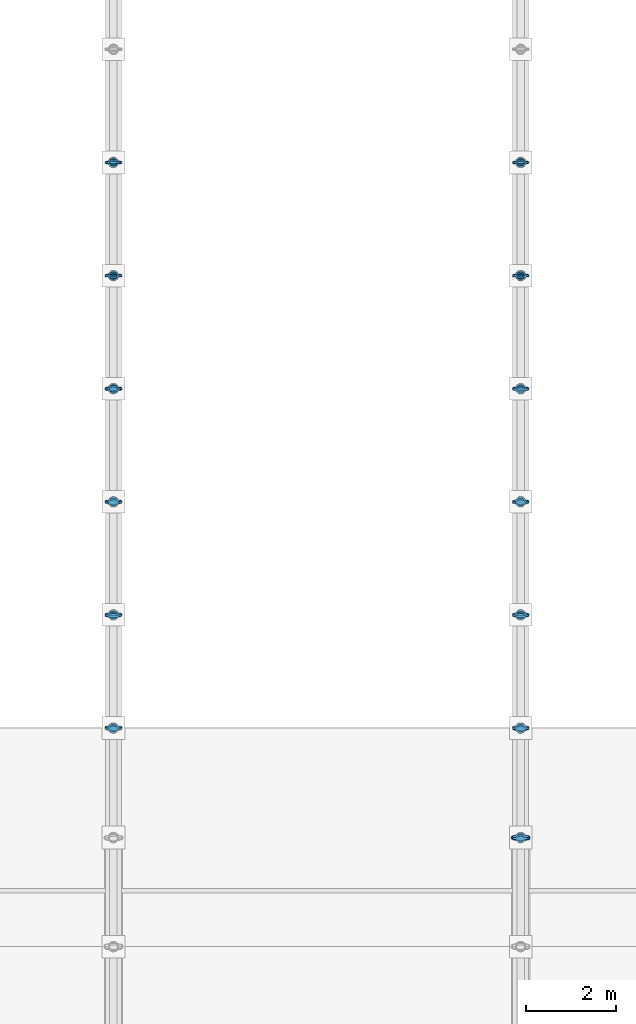
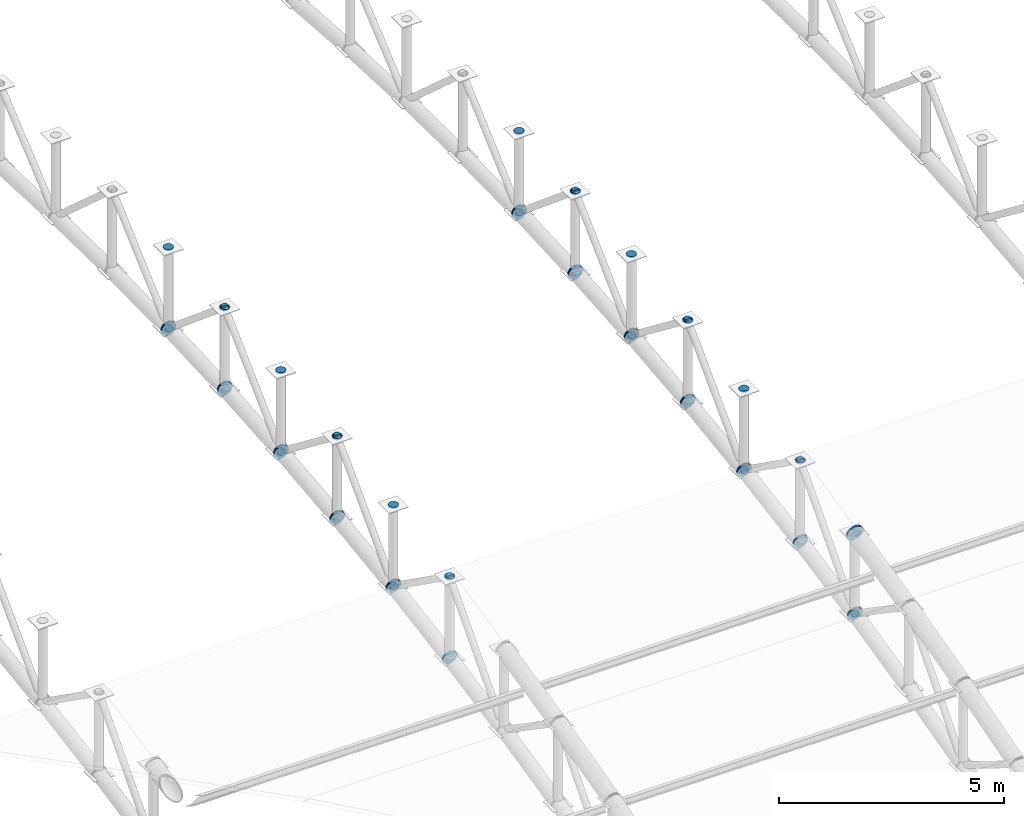
# One storey, part 150 of 195: 78 discrete accessories.
"""IFC4 building model written with IfcOpenShell, lengths in metres."""

from ifc_helpers import new_model, si_unit, direction, frame, origin, origin_2d, place, context, subcontext, project, spatial, circle, extrude, material, element, save


model = new_model("IFC4")

# Units and contexts
model_context = context("Model", 3, precision=1e-05, world=origin(), true_north=direction((0.0, 1.0)))
body_context = subcontext(model_context, "Body", "Model", "MODEL_VIEW")
ifc_project = project(units=[si_unit("LENGTHUNIT", "METRE"), si_unit("AREAUNIT", "SQUARE_METRE"), si_unit("VOLUMEUNIT", "CUBIC_METRE"), si_unit("PLANEANGLEUNIT", "RADIAN"), si_unit("MASSUNIT", "GRAM", prefix="KILO")], contexts=[model_context])

# Site, building, storey
site_placement = place(None, origin())
site = spatial("IfcSite", under=ifc_project, at=site_placement, CompositionType="ELEMENT")
building_placement = place(site_placement, origin())
building = spatial("IfcBuilding", under=site, at=building_placement, Name="Marlcrest Central Station", CompositionType="ELEMENT")
storey_placement = place(building_placement, frame((0.0, 0.0, 9.800048828125)))
storey = spatial("IfcBuildingStorey", under=building, at=storey_placement, Name="L02", CompositionType="ELEMENT", Elevation=9.800048828125)

# Discrete accessories
ifc_material = material(Name="Steel S355", Category="steel")
discrete_accessory_1_placement = place(storey_placement, frame((180.0, 50.983154296875, 5.585205078125), z_axis=(0.0, 0.669244457479, 0.743042297675), x_axis=(-1.0, 0.0, 0.0)))
element("IfcDiscreteAccessory", 1, at=discrete_accessory_1_placement, inside=storey, material=ifc_material, Name="endcap-mem-AD-01-L02-01579-e", ObjectType="END_CAP_PLATE", PredefinedType="BRACKET", context=body_context, shape_type="SweptSolid", body=[
    extrude(circle(Radius=0.092041015625, at=origin_2d()), origin(), (0.0, 0.0, 1.0), 0.0400390625),
])
for number, where, z_axis, x_axis, name in (
    (2, (180.0, 50.985107421875, 3.4013671875), (0.0, 0.98574109921, 0.168269086076), (-1.0, 0.0, 0.0), "endcap-mem-AC-02-L02-01581-s"),
    (3, (180.0, 53.475341796875, 3.826416015625), (0.0, 0.98574109921, 0.168269086076), (-1.0, 0.0, 0.0), "endcap-mem-AC-02-L02-01581-e"),
):
    element("IfcDiscreteAccessory", number, at=place(storey_placement, frame(where, z_axis=z_axis, x_axis=x_axis)), inside=storey, material=ifc_material, Name=name, ObjectType="END_CAP_PLATE", PredefinedType="BRACKET", context=body_context, shape_type="SweptSolid", body=[
        extrude(circle(Radius=0.185791015625, at=origin_2d()), origin(), (0.0, 0.0, 1.0), 0.0400390625),
    ])
for number, where, z_axis, x_axis, name in (
    (4, (180.0, 51.0, 3.388916015625), (0.0, 0.0, 1.0), (1.0, 0.0, 0.0), "endcap-mem-AP-01-L02-01582-s"),
    (5, (180.0, 51.0, 5.578857421875), (0.0, 0.0, 1.0), (1.0, 0.0, 0.0), "endcap-mem-AP-01-L02-01582-e"),
):
    element("IfcDiscreteAccessory", number, at=place(storey_placement, frame(where, z_axis=z_axis, x_axis=x_axis)), inside=storey, material=ifc_material, Name=name, ObjectType="END_CAP_PLATE", PredefinedType="BRACKET", context=body_context, shape_type="SweptSolid", body=[
        extrude(circle(Radius=0.117431640625, at=origin_2d()), origin(), (0.0, 0.0, 1.0), 0.0400390625),
    ])
for number, where, z_axis, x_axis, name in (
    (6, (180.0, 50.98779296875, 5.612548828125), (0.0, 0.815661132754, -0.57852996164), (-1.0, 0.0, 0.0), "endcap-mem-AD-01-L02-01583-s"),
    (7, (180.0, 53.4794921875, 3.844970703125), (0.0, 0.815661132754, -0.57852996164), (-1.0, 0.0, 0.0), "endcap-mem-AD-01-L02-01583-e"),
):
    element("IfcDiscreteAccessory", number, at=place(storey_placement, frame(where, z_axis=z_axis, x_axis=x_axis)), inside=storey, material=ifc_material, Name=name, ObjectType="END_CAP_PLATE", PredefinedType="BRACKET", context=body_context, shape_type="SweptSolid", body=[
        extrude(circle(Radius=0.092041015625, at=origin_2d()), origin(), (0.0, 0.0, 1.0), 0.0400390625),
    ])
for number, where, z_axis, x_axis, name in (
    (8, (180.0, 53.485107421875, 3.82861328125), (0.0, 0.990402740232, 0.138211476152), (-1.0, 0.0, 0.0), "endcap-mem-AC-02-L02-01585-s"),
    (9, (180.0, 55.975341796875, 4.176025390625), (0.0, 0.990402740232, 0.138211476152), (-1.0, 0.0, 0.0), "endcap-mem-AC-02-L02-01585-e"),
):
    element("IfcDiscreteAccessory", number, at=place(storey_placement, frame(where, z_axis=z_axis, x_axis=x_axis)), inside=storey, material=ifc_material, Name=name, ObjectType="END_CAP_PLATE", PredefinedType="BRACKET", context=body_context, shape_type="SweptSolid", body=[
        extrude(circle(Radius=0.185791015625, at=origin_2d()), origin(), (0.0, 0.0, 1.0), 0.0400390625),
    ])
for number, where, z_axis, x_axis, name in (
    (10, (180.0, 53.5, 3.815673828125), (0.0, 0.0, 1.0), (1.0, 0.0, 0.0), "endcap-mem-AP-01-L02-01586-s"),
    (11, (180.0, 53.5, 6.005615234375), (0.0, 0.0, 1.0), (1.0, 0.0, 0.0), "endcap-mem-AP-01-L02-01586-e"),
):
    element("IfcDiscreteAccessory", number, at=place(storey_placement, frame(where, z_axis=z_axis, x_axis=x_axis)), inside=storey, material=ifc_material, Name=name, ObjectType="END_CAP_PLATE", PredefinedType="BRACKET", context=body_context, shape_type="SweptSolid", body=[
        extrude(circle(Radius=0.117431640625, at=origin_2d()), origin(), (0.0, 0.0, 1.0), 0.0400390625),
    ])
for number, where, z_axis, x_axis, name in (
    (12, (180.0, 53.489501953125, 3.81982421875), (0.0, 0.70023547796, 0.713911952139), (-1.0, 0.0, 0.0), "endcap-mem-AD-01-L02-01587-s"),
    (13, (180.0, 55.982421875, 6.361572265625), (0.0, 0.70023547796, 0.713911952139), (-1.0, 0.0, 0.0), "endcap-mem-AD-01-L02-01587-e"),
):
    element("IfcDiscreteAccessory", number, at=place(storey_placement, frame(where, z_axis=z_axis, x_axis=x_axis)), inside=storey, material=ifc_material, Name=name, ObjectType="END_CAP_PLATE", PredefinedType="BRACKET", context=body_context, shape_type="SweptSolid", body=[
        extrude(circle(Radius=0.092041015625, at=origin_2d()), origin(), (0.0, 0.0, 1.0), 0.0400390625),
    ])
for number, where, z_axis, x_axis, name in (
    (14, (180.0, 55.985107421875, 4.177734375), (0.0, 0.994155341034, 0.107959056565), (-1.0, 0.0, 0.0), "endcap-mem-AC-02-L02-01589-s"),
    (15, (180.0, 58.47509765625, 4.4482421875), (0.0, 0.994155341034, 0.107959056565), (-1.0, 0.0, 0.0), "endcap-mem-AC-02-L02-01589-e"),
):
    element("IfcDiscreteAccessory", number, at=place(storey_placement, frame(where, z_axis=z_axis, x_axis=x_axis)), inside=storey, material=ifc_material, Name=name, ObjectType="END_CAP_PLATE", PredefinedType="BRACKET", context=body_context, shape_type="SweptSolid", body=[
        extrude(circle(Radius=0.185791015625, at=origin_2d()), origin(), (0.0, 0.0, 1.0), 0.0400390625),
    ])
for number, where, z_axis, x_axis, name in (
    (16, (180.0, 56.0, 4.16455078125), (0.0, 0.0, 1.0), (1.0, 0.0, 0.0), "endcap-mem-AP-01-L02-01590-s"),
    (17, (180.0, 56.0, 6.3544921875), (0.0, 0.0, 1.0), (1.0, 0.0, 0.0), "endcap-mem-AP-01-L02-01590-e"),
):
    element("IfcDiscreteAccessory", number, at=place(storey_placement, frame(where, z_axis=z_axis, x_axis=x_axis)), inside=storey, material=ifc_material, Name=name, ObjectType="END_CAP_PLATE", PredefinedType="BRACKET", context=body_context, shape_type="SweptSolid", body=[
        extrude(circle(Radius=0.117431640625, at=origin_2d()), origin(), (0.0, 0.0, 1.0), 0.0400390625),
    ])
for number, where, z_axis, x_axis, name in (
    (18, (180.0, 55.988037109375, 6.388671875), (0.0, 0.791798282026, -0.610782678684), (-1.0, 0.0, 0.0), "endcap-mem-AD-01-L02-01591-s"),
    (19, (180.0, 58.480224609375, 4.46630859375), (0.0, 0.791798282026, -0.610782678684), (-1.0, 0.0, 0.0), "endcap-mem-AD-01-L02-01591-e"),
):
    element("IfcDiscreteAccessory", number, at=place(storey_placement, frame(where, z_axis=z_axis, x_axis=x_axis)), inside=storey, material=ifc_material, Name=name, ObjectType="END_CAP_PLATE", PredefinedType="BRACKET", context=body_context, shape_type="SweptSolid", body=[
        extrude(circle(Radius=0.092041015625, at=origin_2d()), origin(), (0.0, 0.0, 1.0), 0.0400390625),
    ])
for number, where, z_axis, x_axis, name in (
    (20, (180.0, 58.485107421875, 4.44970703125), (0.0, 0.997007334767, 0.077307014043), (-1.0, 0.0, 0.0), "endcap-mem-AC-02-L02-01593-s"),
    (21, (180.0, 60.97509765625, 4.642822265625), (0.0, 0.997007334767, 0.077307014043), (-1.0, 0.0, 0.0), "endcap-mem-AC-02-L02-01593-e"),
):
    element("IfcDiscreteAccessory", number, at=place(storey_placement, frame(where, z_axis=z_axis, x_axis=x_axis)), inside=storey, material=ifc_material, Name=name, ObjectType="END_CAP_PLATE", PredefinedType="BRACKET", context=body_context, shape_type="SweptSolid", body=[
        extrude(circle(Radius=0.185791015625, at=origin_2d()), origin(), (0.0, 0.0, 1.0), 0.0400390625),
    ])
for number, where, z_axis, x_axis, name in (
    (22, (180.0, 58.5, 4.43603515625), (0.0, 0.0, 1.0), (1.0, 0.0, 0.0), "endcap-mem-AP-01-L02-01594-s"),
    (23, (180.0, 58.5, 6.6259765625), (0.0, 0.0, 1.0), (1.0, 0.0, 0.0), "endcap-mem-AP-01-L02-01594-e"),
):
    element("IfcDiscreteAccessory", number, at=place(storey_placement, frame(where, z_axis=z_axis, x_axis=x_axis)), inside=storey, material=ifc_material, Name=name, ObjectType="END_CAP_PLATE", PredefinedType="BRACKET", context=body_context, shape_type="SweptSolid", body=[
        extrude(circle(Radius=0.117431640625, at=origin_2d()), origin(), (0.0, 0.0, 1.0), 0.0400390625),
    ])
for number, where, z_axis, x_axis, name in (
    (24, (180.0, 58.4892578125, 4.440673828125), (0.0, 0.722246537655, 0.691635698071), (-1.0, 0.0, 0.0), "endcap-mem-AD-01-L02-01595-s"),
    (25, (180.0, 60.98193359375, 6.82763671875), (0.0, 0.722246537655, 0.691635698071), (-1.0, 0.0, 0.0), "endcap-mem-AD-01-L02-01595-e"),
):
    element("IfcDiscreteAccessory", number, at=place(storey_placement, frame(where, z_axis=z_axis, x_axis=x_axis)), inside=storey, material=ifc_material, Name=name, ObjectType="END_CAP_PLATE", PredefinedType="BRACKET", context=body_context, shape_type="SweptSolid", body=[
        extrude(circle(Radius=0.092041015625, at=origin_2d()), origin(), (0.0, 0.0, 1.0), 0.0400390625),
    ])
for number, where, z_axis, x_axis, name in (
    (26, (180.0, 60.985107421875, 4.64404296875), (0.0, 0.998916819647, 0.046531574509), (-1.0, 0.0, 0.0), "endcap-mem-AC-02-L02-01597-s"),
    (27, (180.0, 63.47509765625, 4.760009765625), (0.0, 0.998916819647, 0.046531574509), (-1.0, 0.0, 0.0), "endcap-mem-AC-02-L02-01597-e"),
):
    element("IfcDiscreteAccessory", number, at=place(storey_placement, frame(where, z_axis=z_axis, x_axis=x_axis)), inside=storey, material=ifc_material, Name=name, ObjectType="END_CAP_PLATE", PredefinedType="BRACKET", context=body_context, shape_type="SweptSolid", body=[
        extrude(circle(Radius=0.185791015625, at=origin_2d()), origin(), (0.0, 0.0, 1.0), 0.0400390625),
    ])
for number, where, z_axis, x_axis, name in (
    (28, (180.0, 61.0, 4.6298828125), (0.0, 0.0, 1.0), (1.0, 0.0, 0.0), "endcap-mem-AP-01-L02-01598-s"),
    (29, (180.0, 61.0, 6.820068359375), (0.0, 0.0, 1.0), (1.0, 0.0, 0.0), "endcap-mem-AP-01-L02-01598-e"),
):
    element("IfcDiscreteAccessory", number, at=place(storey_placement, frame(where, z_axis=z_axis, x_axis=x_axis)), inside=storey, material=ifc_material, Name=name, ObjectType="END_CAP_PLATE", PredefinedType="BRACKET", context=body_context, shape_type="SweptSolid", body=[
        extrude(circle(Radius=0.117431640625, at=origin_2d()), origin(), (0.0, 0.0, 1.0), 0.0400390625),
    ])
for number, where, z_axis, x_axis, name in (
    (30, (180.0, 60.988525390625, 6.8544921875), (0.0, 0.768159787854, -0.640258182552), (-1.0, 0.0, 0.0), "endcap-mem-AD-01-L02-01599-s"),
    (31, (180.0, 63.480712890625, 4.77734375), (0.0, 0.768159787854, -0.640258182552), (-1.0, 0.0, 0.0), "endcap-mem-AD-01-L02-01599-e"),
):
    element("IfcDiscreteAccessory", number, at=place(storey_placement, frame(where, z_axis=z_axis, x_axis=x_axis)), inside=storey, material=ifc_material, Name=name, ObjectType="END_CAP_PLATE", PredefinedType="BRACKET", context=body_context, shape_type="SweptSolid", body=[
        extrude(circle(Radius=0.092041015625, at=origin_2d()), origin(), (0.0, 0.0, 1.0), 0.0400390625),
    ])
discrete_accessory_2_placement = place(storey_placement, frame((180.0, 63.485107421875, 4.760986328125), z_axis=(0.0, 0.999879472592, 0.01552547228), x_axis=(-1.0, 0.0, 0.0)))
element("IfcDiscreteAccessory", 32, at=discrete_accessory_2_placement, inside=storey, material=ifc_material, Name="endcap-mem-AC-02-L02-01601-s", ObjectType="END_CAP_PLATE", PredefinedType="BRACKET", context=body_context, shape_type="SweptSolid", body=[
    extrude(circle(Radius=0.185791015625, at=origin_2d()), origin(), (0.0, 0.0, 1.0), 0.0400390625),
])
for number, where, z_axis, x_axis, name in (
    (33, (180.0, 63.5, 4.746337890625), (0.0, 0.0, 1.0), (1.0, 0.0, 0.0), "endcap-mem-AP-01-L02-01602-s"),
    (34, (180.0, 63.5, 6.936279296875), (0.0, 0.0, 1.0), (1.0, 0.0, 0.0), "endcap-mem-AP-01-L02-01602-e"),
):
    element("IfcDiscreteAccessory", number, at=place(storey_placement, frame(where, z_axis=z_axis, x_axis=x_axis)), inside=storey, material=ifc_material, Name=name, ObjectType="END_CAP_PLATE", PredefinedType="BRACKET", context=body_context, shape_type="SweptSolid", body=[
        extrude(circle(Radius=0.117431640625, at=origin_2d()), origin(), (0.0, 0.0, 1.0), 0.0400390625),
    ])
discrete_accessory_3_placement = place(storey_placement, frame((180.0, 63.48876953125, 4.751220703125), z_axis=(0.0, 0.744955843007, 0.66711377738), x_axis=(-1.0, 0.0, 0.0)))
element("IfcDiscreteAccessory", 35, at=discrete_accessory_3_placement, inside=storey, material=ifc_material, Name="endcap-mem-AD-01-L02-01603-s", ObjectType="END_CAP_PLATE", PredefinedType="BRACKET", context=body_context, shape_type="SweptSolid", body=[
    extrude(circle(Radius=0.092041015625, at=origin_2d()), origin(), (0.0, 0.0, 1.0), 0.0400390625),
])
discrete_accessory_4_placement = place(storey_placement, frame((189.0, 48.5556640625, 5.111328125), z_axis=(0.0, 0.974329612642, 0.225126200004), x_axis=(-1.0, 0.0, 0.0)))
element("IfcDiscreteAccessory", 36, at=discrete_accessory_4_placement, inside=storey, material=ifc_material, Name="endcap-mem-AC-01-L02-01688-e", ObjectType="END_CAP_PLATE", PredefinedType="BRACKET", context=body_context, shape_type="SweptSolid", body=[
    extrude(circle(Radius=0.211181640625, at=origin_2d()), origin(), (0.0, 0.0, 1.0), 0.0400390625),
])
discrete_accessory_5_placement = place(storey_placement, frame((189.0, 48.5556640625, 2.911376953125), z_axis=(0.0, 0.974307959875, 0.225219891049), x_axis=(-1.0, 0.0, 0.0)))
element("IfcDiscreteAccessory", 37, at=discrete_accessory_5_placement, inside=storey, material=ifc_material, Name="endcap-mem-AC-02-L02-01689-e", ObjectType="END_CAP_PLATE", PredefinedType="BRACKET", context=body_context, shape_type="SweptSolid", body=[
    extrude(circle(Radius=0.185791015625, at=origin_2d()), origin(), (0.0, 0.0, 1.0), 0.0400390625),
])
discrete_accessory_6_placement = place(storey_placement, frame((189.0, 48.559326171875, 2.93115234375), z_axis=(0.0, 0.82626275624, -0.563284881432), x_axis=(-1.0, 0.0, 0.0)))
element("IfcDiscreteAccessory", 38, at=discrete_accessory_6_placement, inside=storey, material=ifc_material, Name="endcap-mem-AD-01-L02-01691-e", ObjectType="END_CAP_PLATE", PredefinedType="BRACKET", context=body_context, shape_type="SweptSolid", body=[
    extrude(circle(Radius=0.092041015625, at=origin_2d()), origin(), (0.0, 0.0, 1.0), 0.0400390625),
])
for number, where, z_axis, x_axis, name in (
    (39, (189.0, 48.5654296875, 2.9140625), (0.0, 0.980359417961, 0.197219196874), (-1.0, 0.0, 0.0), "endcap-mem-AC-02-L02-01693-s"),
    (40, (189.0, 50.9755859375, 3.39892578125), (0.0, 0.980359417961, 0.197219196874), (-1.0, 0.0, 0.0), "endcap-mem-AC-02-L02-01693-e"),
):
    element("IfcDiscreteAccessory", number, at=place(storey_placement, frame(where, z_axis=z_axis, x_axis=x_axis)), inside=storey, material=ifc_material, Name=name, ObjectType="END_CAP_PLATE", PredefinedType="BRACKET", context=body_context, shape_type="SweptSolid", body=[
        extrude(circle(Radius=0.185791015625, at=origin_2d()), origin(), (0.0, 0.0, 1.0), 0.0400390625),
    ])
for number, where, z_axis, x_axis, name in (
    (41, (189.0, 48.580078125, 2.902099609375), (0.0, 0.0, 1.0), (1.0, 0.0, 0.0), "endcap-mem-AP-01-L02-01694-s"),
    (42, (189.0, 48.580078125, 5.092041015625), (0.0, 0.0, 1.0), (1.0, 0.0, 0.0), "endcap-mem-AP-01-L02-01694-e"),
):
    element("IfcDiscreteAccessory", number, at=place(storey_placement, frame(where, z_axis=z_axis, x_axis=x_axis)), inside=storey, material=ifc_material, Name=name, ObjectType="END_CAP_PLATE", PredefinedType="BRACKET", context=body_context, shape_type="SweptSolid", body=[
        extrude(circle(Radius=0.117431640625, at=origin_2d()), origin(), (0.0, 0.0, 1.0), 0.0400390625),
    ])
for number, where, z_axis, x_axis, name in (
    (43, (189.0, 48.570068359375, 2.90576171875), (0.0, 0.669244457479, 0.743042297675), (-1.0, 0.0, 0.0), "endcap-mem-AD-01-L02-01695-s"),
    (44, (189.0, 50.983154296875, 5.585205078125), (0.0, 0.669244457479, 0.743042297675), (-1.0, 0.0, 0.0), "endcap-mem-AD-01-L02-01695-e"),
):
    element("IfcDiscreteAccessory", number, at=place(storey_placement, frame(where, z_axis=z_axis, x_axis=x_axis)), inside=storey, material=ifc_material, Name=name, ObjectType="END_CAP_PLATE", PredefinedType="BRACKET", context=body_context, shape_type="SweptSolid", body=[
        extrude(circle(Radius=0.092041015625, at=origin_2d()), origin(), (0.0, 0.0, 1.0), 0.0400390625),
    ])
for number, where, z_axis, x_axis, name in (
    (45, (189.0, 50.985107421875, 3.4013671875), (0.0, 0.98574109921, 0.168269086076), (-1.0, 0.0, 0.0), "endcap-mem-AC-02-L02-01697-s"),
    (46, (189.0, 53.475341796875, 3.826416015625), (0.0, 0.98574109921, 0.168269086076), (-1.0, 0.0, 0.0), "endcap-mem-AC-02-L02-01697-e"),
):
    element("IfcDiscreteAccessory", number, at=place(storey_placement, frame(where, z_axis=z_axis, x_axis=x_axis)), inside=storey, material=ifc_material, Name=name, ObjectType="END_CAP_PLATE", PredefinedType="BRACKET", context=body_context, shape_type="SweptSolid", body=[
        extrude(circle(Radius=0.185791015625, at=origin_2d()), origin(), (0.0, 0.0, 1.0), 0.0400390625),
    ])
for number, where, z_axis, x_axis, name in (
    (47, (189.0, 51.0, 3.388916015625), (0.0, 0.0, 1.0), (1.0, 0.0, 0.0), "endcap-mem-AP-01-L02-01698-s"),
    (48, (189.0, 51.0, 5.578857421875), (0.0, 0.0, 1.0), (1.0, 0.0, 0.0), "endcap-mem-AP-01-L02-01698-e"),
):
    element("IfcDiscreteAccessory", number, at=place(storey_placement, frame(where, z_axis=z_axis, x_axis=x_axis)), inside=storey, material=ifc_material, Name=name, ObjectType="END_CAP_PLATE", PredefinedType="BRACKET", context=body_context, shape_type="SweptSolid", body=[
        extrude(circle(Radius=0.117431640625, at=origin_2d()), origin(), (0.0, 0.0, 1.0), 0.0400390625),
    ])
for number, where, z_axis, x_axis, name in (
    (49, (189.0, 50.98779296875, 5.612548828125), (0.0, 0.815661132754, -0.57852996164), (-1.0, 0.0, 0.0), "endcap-mem-AD-01-L02-01699-s"),
    (50, (189.0, 53.4794921875, 3.844970703125), (0.0, 0.815661132754, -0.57852996164), (-1.0, 0.0, 0.0), "endcap-mem-AD-01-L02-01699-e"),
):
    element("IfcDiscreteAccessory", number, at=place(storey_placement, frame(where, z_axis=z_axis, x_axis=x_axis)), inside=storey, material=ifc_material, Name=name, ObjectType="END_CAP_PLATE", PredefinedType="BRACKET", context=body_context, shape_type="SweptSolid", body=[
        extrude(circle(Radius=0.092041015625, at=origin_2d()), origin(), (0.0, 0.0, 1.0), 0.0400390625),
    ])
for number, where, z_axis, x_axis, name in (
    (51, (189.0, 53.485107421875, 3.82861328125), (0.0, 0.990402740232, 0.138211476152), (-1.0, 0.0, 0.0), "endcap-mem-AC-02-L02-01701-s"),
    (52, (189.0, 55.975341796875, 4.176025390625), (0.0, 0.990402740232, 0.138211476152), (-1.0, 0.0, 0.0), "endcap-mem-AC-02-L02-01701-e"),
):
    element("IfcDiscreteAccessory", number, at=place(storey_placement, frame(where, z_axis=z_axis, x_axis=x_axis)), inside=storey, material=ifc_material, Name=name, ObjectType="END_CAP_PLATE", PredefinedType="BRACKET", context=body_context, shape_type="SweptSolid", body=[
        extrude(circle(Radius=0.185791015625, at=origin_2d()), origin(), (0.0, 0.0, 1.0), 0.0400390625),
    ])
for number, where, z_axis, x_axis, name in (
    (53, (189.0, 53.5, 3.815673828125), (0.0, 0.0, 1.0), (1.0, 0.0, 0.0), "endcap-mem-AP-01-L02-01702-s"),
    (54, (189.0, 53.5, 6.005615234375), (0.0, 0.0, 1.0), (1.0, 0.0, 0.0), "endcap-mem-AP-01-L02-01702-e"),
):
    element("IfcDiscreteAccessory", number, at=place(storey_placement, frame(where, z_axis=z_axis, x_axis=x_axis)), inside=storey, material=ifc_material, Name=name, ObjectType="END_CAP_PLATE", PredefinedType="BRACKET", context=body_context, shape_type="SweptSolid", body=[
        extrude(circle(Radius=0.117431640625, at=origin_2d()), origin(), (0.0, 0.0, 1.0), 0.0400390625),
    ])
for number, where, z_axis, x_axis, name in (
    (55, (189.0, 53.489501953125, 3.81982421875), (0.0, 0.70023547796, 0.713911952139), (-1.0, 0.0, 0.0), "endcap-mem-AD-01-L02-01703-s"),
    (56, (189.0, 55.982421875, 6.361572265625), (0.0, 0.70023547796, 0.713911952139), (-1.0, 0.0, 0.0), "endcap-mem-AD-01-L02-01703-e"),
):
    element("IfcDiscreteAccessory", number, at=place(storey_placement, frame(where, z_axis=z_axis, x_axis=x_axis)), inside=storey, material=ifc_material, Name=name, ObjectType="END_CAP_PLATE", PredefinedType="BRACKET", context=body_context, shape_type="SweptSolid", body=[
        extrude(circle(Radius=0.092041015625, at=origin_2d()), origin(), (0.0, 0.0, 1.0), 0.0400390625),
    ])
for number, where, z_axis, x_axis, name in (
    (57, (189.0, 55.985107421875, 4.177734375), (0.0, 0.994155341034, 0.107959056565), (-1.0, 0.0, 0.0), "endcap-mem-AC-02-L02-01705-s"),
    (58, (189.0, 58.47509765625, 4.4482421875), (0.0, 0.994155341034, 0.107959056565), (-1.0, 0.0, 0.0), "endcap-mem-AC-02-L02-01705-e"),
):
    element("IfcDiscreteAccessory", number, at=place(storey_placement, frame(where, z_axis=z_axis, x_axis=x_axis)), inside=storey, material=ifc_material, Name=name, ObjectType="END_CAP_PLATE", PredefinedType="BRACKET", context=body_context, shape_type="SweptSolid", body=[
        extrude(circle(Radius=0.185791015625, at=origin_2d()), origin(), (0.0, 0.0, 1.0), 0.0400390625),
    ])
for number, where, z_axis, x_axis, name in (
    (59, (189.0, 56.0, 4.16455078125), (0.0, 0.0, 1.0), (1.0, 0.0, 0.0), "endcap-mem-AP-01-L02-01706-s"),
    (60, (189.0, 56.0, 6.3544921875), (0.0, 0.0, 1.0), (1.0, 0.0, 0.0), "endcap-mem-AP-01-L02-01706-e"),
):
    element("IfcDiscreteAccessory", number, at=place(storey_placement, frame(where, z_axis=z_axis, x_axis=x_axis)), inside=storey, material=ifc_material, Name=name, ObjectType="END_CAP_PLATE", PredefinedType="BRACKET", context=body_context, shape_type="SweptSolid", body=[
        extrude(circle(Radius=0.117431640625, at=origin_2d()), origin(), (0.0, 0.0, 1.0), 0.0400390625),
    ])
for number, where, z_axis, x_axis, name in (
    (61, (189.0, 55.988037109375, 6.388671875), (0.0, 0.791798282026, -0.610782678684), (-1.0, 0.0, 0.0), "endcap-mem-AD-01-L02-01707-s"),
    (62, (189.0, 58.480224609375, 4.46630859375), (0.0, 0.791798282026, -0.610782678684), (-1.0, 0.0, 0.0), "endcap-mem-AD-01-L02-01707-e"),
):
    element("IfcDiscreteAccessory", number, at=place(storey_placement, frame(where, z_axis=z_axis, x_axis=x_axis)), inside=storey, material=ifc_material, Name=name, ObjectType="END_CAP_PLATE", PredefinedType="BRACKET", context=body_context, shape_type="SweptSolid", body=[
        extrude(circle(Radius=0.092041015625, at=origin_2d()), origin(), (0.0, 0.0, 1.0), 0.0400390625),
    ])
for number, where, z_axis, x_axis, name in (
    (63, (189.0, 58.485107421875, 4.44970703125), (0.0, 0.997007334767, 0.077307014043), (-1.0, 0.0, 0.0), "endcap-mem-AC-02-L02-01709-s"),
    (64, (189.0, 60.97509765625, 4.642822265625), (0.0, 0.997007334767, 0.077307014043), (-1.0, 0.0, 0.0), "endcap-mem-AC-02-L02-01709-e"),
):
    element("IfcDiscreteAccessory", number, at=place(storey_placement, frame(where, z_axis=z_axis, x_axis=x_axis)), inside=storey, material=ifc_material, Name=name, ObjectType="END_CAP_PLATE", PredefinedType="BRACKET", context=body_context, shape_type="SweptSolid", body=[
        extrude(circle(Radius=0.185791015625, at=origin_2d()), origin(), (0.0, 0.0, 1.0), 0.0400390625),
    ])
for number, where, z_axis, x_axis, name in (
    (65, (189.0, 58.5, 4.43603515625), (0.0, 0.0, 1.0), (1.0, 0.0, 0.0), "endcap-mem-AP-01-L02-01710-s"),
    (66, (189.0, 58.5, 6.6259765625), (0.0, 0.0, 1.0), (1.0, 0.0, 0.0), "endcap-mem-AP-01-L02-01710-e"),
):
    element("IfcDiscreteAccessory", number, at=place(storey_placement, frame(where, z_axis=z_axis, x_axis=x_axis)), inside=storey, material=ifc_material, Name=name, ObjectType="END_CAP_PLATE", PredefinedType="BRACKET", context=body_context, shape_type="SweptSolid", body=[
        extrude(circle(Radius=0.117431640625, at=origin_2d()), origin(), (0.0, 0.0, 1.0), 0.0400390625),
    ])
for number, where, z_axis, x_axis, name in (
    (67, (189.0, 58.4892578125, 4.440673828125), (0.0, 0.722246537655, 0.691635698071), (-1.0, 0.0, 0.0), "endcap-mem-AD-01-L02-01711-s"),
    (68, (189.0, 60.98193359375, 6.82763671875), (0.0, 0.722246537655, 0.691635698071), (-1.0, 0.0, 0.0), "endcap-mem-AD-01-L02-01711-e"),
):
    element("IfcDiscreteAccessory", number, at=place(storey_placement, frame(where, z_axis=z_axis, x_axis=x_axis)), inside=storey, material=ifc_material, Name=name, ObjectType="END_CAP_PLATE", PredefinedType="BRACKET", context=body_context, shape_type="SweptSolid", body=[
        extrude(circle(Radius=0.092041015625, at=origin_2d()), origin(), (0.0, 0.0, 1.0), 0.0400390625),
    ])
for number, where, z_axis, x_axis, name in (
    (69, (189.0, 60.985107421875, 4.64404296875), (0.0, 0.998916819647, 0.046531574509), (-1.0, 0.0, 0.0), "endcap-mem-AC-02-L02-01713-s"),
    (70, (189.0, 63.47509765625, 4.760009765625), (0.0, 0.998916819647, 0.046531574509), (-1.0, 0.0, 0.0), "endcap-mem-AC-02-L02-01713-e"),
):
    element("IfcDiscreteAccessory", number, at=place(storey_placement, frame(where, z_axis=z_axis, x_axis=x_axis)), inside=storey, material=ifc_material, Name=name, ObjectType="END_CAP_PLATE", PredefinedType="BRACKET", context=body_context, shape_type="SweptSolid", body=[
        extrude(circle(Radius=0.185791015625, at=origin_2d()), origin(), (0.0, 0.0, 1.0), 0.0400390625),
    ])
for number, where, z_axis, x_axis, name in (
    (71, (189.0, 61.0, 4.6298828125), (0.0, 0.0, 1.0), (1.0, 0.0, 0.0), "endcap-mem-AP-01-L02-01714-s"),
    (72, (189.0, 61.0, 6.820068359375), (0.0, 0.0, 1.0), (1.0, 0.0, 0.0), "endcap-mem-AP-01-L02-01714-e"),
):
    element("IfcDiscreteAccessory", number, at=place(storey_placement, frame(where, z_axis=z_axis, x_axis=x_axis)), inside=storey, material=ifc_material, Name=name, ObjectType="END_CAP_PLATE", PredefinedType="BRACKET", context=body_context, shape_type="SweptSolid", body=[
        extrude(circle(Radius=0.117431640625, at=origin_2d()), origin(), (0.0, 0.0, 1.0), 0.0400390625),
    ])
for number, where, z_axis, x_axis, name in (
    (73, (189.0, 60.988525390625, 6.8544921875), (0.0, 0.768159787854, -0.640258182552), (-1.0, 0.0, 0.0), "endcap-mem-AD-01-L02-01715-s"),
    (74, (189.0, 63.480712890625, 4.77734375), (0.0, 0.768159787854, -0.640258182552), (-1.0, 0.0, 0.0), "endcap-mem-AD-01-L02-01715-e"),
):
    element("IfcDiscreteAccessory", number, at=place(storey_placement, frame(where, z_axis=z_axis, x_axis=x_axis)), inside=storey, material=ifc_material, Name=name, ObjectType="END_CAP_PLATE", PredefinedType="BRACKET", context=body_context, shape_type="SweptSolid", body=[
        extrude(circle(Radius=0.092041015625, at=origin_2d()), origin(), (0.0, 0.0, 1.0), 0.0400390625),
    ])
discrete_accessory_7_placement = place(storey_placement, frame((189.0, 63.485107421875, 4.760986328125), z_axis=(0.0, 0.999879472592, 0.01552547228), x_axis=(-1.0, 0.0, 0.0)))
element("IfcDiscreteAccessory", 75, at=discrete_accessory_7_placement, inside=storey, material=ifc_material, Name="endcap-mem-AC-02-L02-01717-s", ObjectType="END_CAP_PLATE", PredefinedType="BRACKET", context=body_context, shape_type="SweptSolid", body=[
    extrude(circle(Radius=0.185791015625, at=origin_2d()), origin(), (0.0, 0.0, 1.0), 0.0400390625),
])
for number, where, z_axis, x_axis, name in (
    (76, (189.0, 63.5, 4.746337890625), (0.0, 0.0, 1.0), (1.0, 0.0, 0.0), "endcap-mem-AP-01-L02-01718-s"),
    (77, (189.0, 63.5, 6.936279296875), (0.0, 0.0, 1.0), (1.0, 0.0, 0.0), "endcap-mem-AP-01-L02-01718-e"),
):
    element("IfcDiscreteAccessory", number, at=place(storey_placement, frame(where, z_axis=z_axis, x_axis=x_axis)), inside=storey, material=ifc_material, Name=name, ObjectType="END_CAP_PLATE", PredefinedType="BRACKET", context=body_context, shape_type="SweptSolid", body=[
        extrude(circle(Radius=0.117431640625, at=origin_2d()), origin(), (0.0, 0.0, 1.0), 0.0400390625),
    ])
discrete_accessory_8_placement = place(storey_placement, frame((189.0, 63.48876953125, 4.751220703125), z_axis=(0.0, 0.744955843007, 0.66711377738), x_axis=(-1.0, 0.0, 0.0)))
element("IfcDiscreteAccessory", 78, at=discrete_accessory_8_placement, inside=storey, material=ifc_material, Name="endcap-mem-AD-01-L02-01719-s", ObjectType="END_CAP_PLATE", PredefinedType="BRACKET", context=body_context, shape_type="SweptSolid", body=[
    extrude(circle(Radius=0.092041015625, at=origin_2d()), origin(), (0.0, 0.0, 1.0), 0.0400390625),
])

save(model, "model.ifc")
